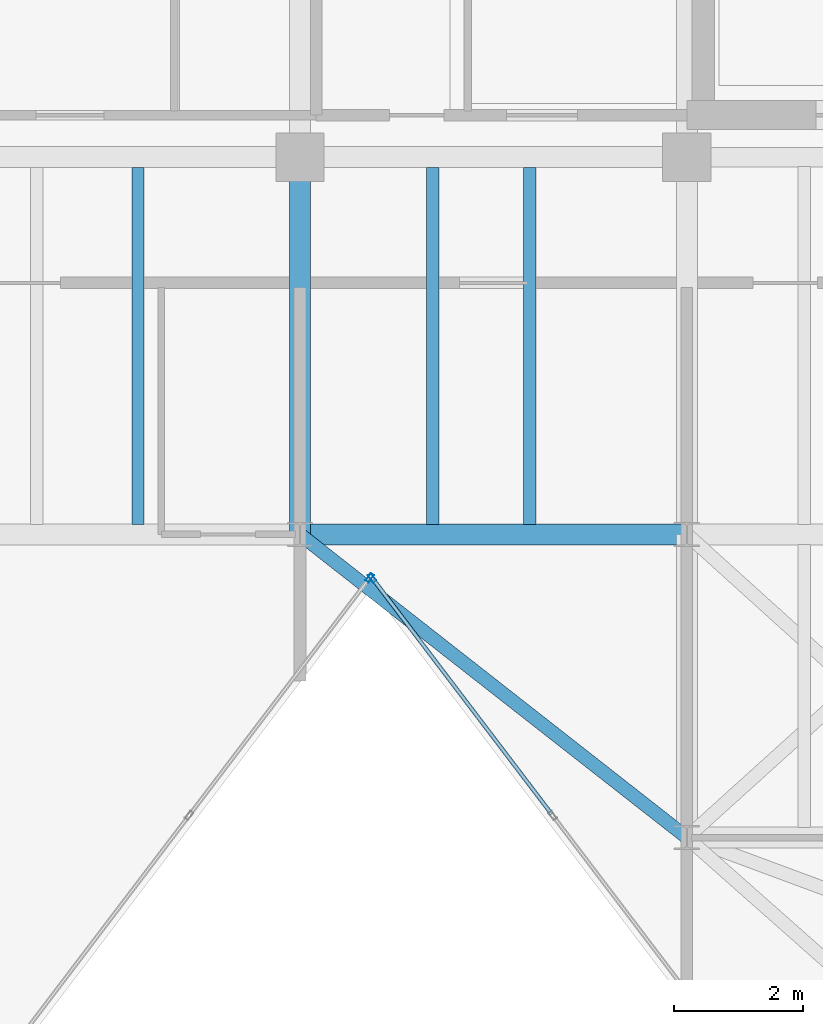
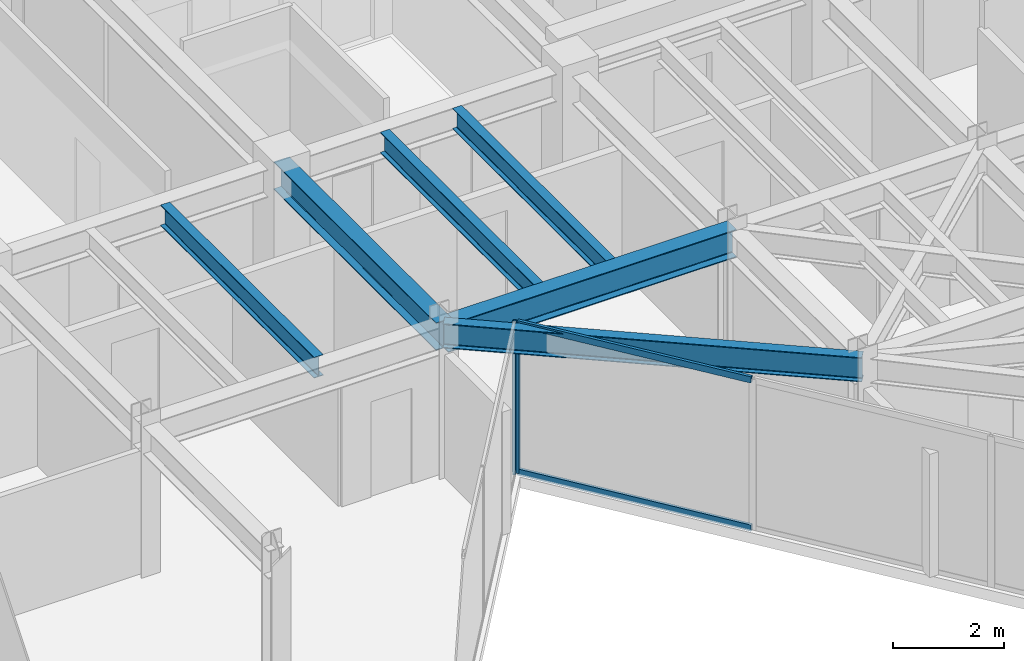
# One storey, part 6 of 16: 6 beams, 4 members, 2 elements without a shape of their own.
"""IFC4 building model written with IfcOpenShell, lengths in metres."""

from ifc_helpers import new_model, si_unit, direction, frame, origin, origin_2d, place, context, subcontext, project, spatial, hollow_rectangle, i_section, extrude, material, layer, layer_set, material_profile, profile_set, type_object, element, aggregate, save


model = new_model("IFC4")

# Units and contexts
model_context = context("Model", 3, precision=1e-05, world=origin(), true_north=direction((0.0, 1.0)))
body_context = subcontext(model_context, "Body", "Model", "MODEL_VIEW")
ifc_project = project(units=[si_unit("LENGTHUNIT", "METRE"), si_unit("AREAUNIT", "SQUARE_METRE"), si_unit("VOLUMEUNIT", "CUBIC_METRE"), si_unit("PLANEANGLEUNIT", "RADIAN"), si_unit("MASSUNIT", "GRAM", prefix="KILO")], contexts=[model_context])

# Site, building, storey
site_placement = place(None, origin())
site = spatial("IfcSite", under=ifc_project, at=site_placement, CompositionType="ELEMENT")
building_placement = place(site_placement, origin())
building = spatial("IfcBuilding", under=site, at=building_placement, Name="Kravanh Interchange Tower", CompositionType="ELEMENT")
storey_placement = place(building_placement, frame((0.0, 0.0, 307.5)))
storey = spatial("IfcBuildingStorey", under=building, at=storey_placement, Name="L76", CompositionType="ELEMENT", Elevation=307.5)

# Curtain wall, member
ifc_material_1 = material(Name="Anodised Bronze Aluminium", Category="aluminium")
ifc_layer = layer(ifc_material_1, 0.179931640625)
ifc_layer_set = layer_set([ifc_layer], Name="Unitised Curtain Wall System CW-HTL Luxury Hotel")
curtain_wall_type = type_object("IfcCurtainWallType", Name="Unitised Curtain Wall System CW-HTL Luxury Hotel", PredefinedType="NOTDEFINED", material=ifc_layer_set)
curtain_wall_1_placement = place(storey_placement, origin())
curtain_wall_1 = element("IfcCurtainWall", 1, at=curtain_wall_1_placement, inside=storey, type_object=curtain_wall_type, Name="L76 Unitised Curtain Wall CW-L76-04", PredefinedType="NOTDEFINED")
ifc_material_2 = material(Name="Anodised Bronze Aluminium", Category="aluminium")
ifc_material_profile_1 = material_profile(ifc_material_2, hollow_rectangle(XDim=0.06005859375, YDim=0.139892578125, WallThickness=0.00390625, at=origin_2d()), Name="ALU60X140X4")
ifc_profile_set_1 = profile_set([ifc_material_profile_1], Name="Anodised Bronze Aluminium")
member_type_1 = type_object("IfcMemberType", Name="Curtain Wall Mullion ALU60X140X4 Bronze", PredefinedType="MULLION", material=ifc_profile_set_1)
member_1_placement = place(storey_placement, frame((45.918212890625, 30.826904296875, 0.0), z_axis=(0.0, 0.0, 1.0), x_axis=(-0.796161642797, -0.605083992962, 0.0)))
member_1 = element("IfcMember", 2, at=member_1_placement, type_object=member_type_1, Name="CW-HTL mullion 4", PredefinedType="MULLION", context=body_context, shape_type="SweptSolid", body=[
    extrude(hollow_rectangle(XDim=0.06005859375, YDim=0.139892578125, WallThickness=0.00390625, at=origin_2d()), origin(), (0.0, 0.0, 1.0), 3.320068359375),
])

curtain_wall_2_placement = place(storey_placement, origin())
curtain_wall_2 = element("IfcCurtainWall", 3, at=curtain_wall_2_placement, inside=storey, type_object=curtain_wall_type, Name="L76 Unitised Curtain Wall CW-L76-05", PredefinedType="NOTDEFINED")
member_2_placement = place(storey_placement, frame((45.8818359375, 30.826904296875, 0.0), z_axis=(0.0, 0.0, 1.0), x_axis=(0.796161642797, -0.605083992962, 0.0)))
member_2 = element("IfcMember", 4, at=member_2_placement, type_object=member_type_1, Name="CW-HTL mullion 1", PredefinedType="MULLION", context=body_context, shape_type="SweptSolid", body=[
    extrude(hollow_rectangle(XDim=0.06005859375, YDim=0.139892578125, WallThickness=0.00390625, at=origin_2d()), origin(), (0.0, 0.0, 1.0), 3.320068359375),
])
aggregate(curtain_wall_2, [member_2])

# Member
ifc_material_3 = material(Name="Anodised Bronze Aluminium", Category="aluminium")
ifc_material_profile_2 = material_profile(ifc_material_3, hollow_rectangle(XDim=0.06005859375, YDim=0.139892578125, WallThickness=0.00390625, at=origin_2d()), Name="ALU60X140X4")
ifc_profile_set_2 = profile_set([ifc_material_profile_2], Name="Anodised Bronze Aluminium")
member_type_2 = type_object("IfcMemberType", Name="Curtain Wall Transom ALU60X140X4 Bronze", PredefinedType="USERDEFINED", material=ifc_profile_set_2)
member_3_placement = place(storey_placement, frame((48.70166015625, 27.16455078125, 0.030029296875), z_axis=(-0.605081913085, 0.796163223502, 0.0), x_axis=(-0.796163223502, -0.605081913085, 0.0)))
member_3 = element("IfcMember", 5, at=member_3_placement, type_object=member_type_2, Name="CW-HTL transom 3.1", ObjectType="TRANSOM", PredefinedType="USERDEFINED", context=body_context, shape_type="SweptSolid", body=[
    extrude(hollow_rectangle(XDim=0.06005859375, YDim=0.139892578125, WallThickness=0.00390625, at=origin_2d()), origin(), (0.0, 0.0, 1.0), 4.5703125),
])

member_4_placement = place(storey_placement, frame((48.70166015625, 27.16455078125, 3.2900390625), z_axis=(-0.605081913085, 0.796163223502, 0.0), x_axis=(-0.796163223502, -0.605081913085, 0.0)))
member_4 = element("IfcMember", 6, at=member_4_placement, type_object=member_type_2, Name="CW-HTL transom 3.2", ObjectType="TRANSOM", PredefinedType="USERDEFINED", context=body_context, shape_type="SweptSolid", body=[
    extrude(hollow_rectangle(XDim=0.06005859375, YDim=0.139892578125, WallThickness=0.00390625, at=origin_2d()), origin(), (0.0, 0.0, 1.0), 4.5703125),
])

aggregate(curtain_wall_1, [member_1, member_3, member_4])

# Beams
ifc_material_4 = material(Name="Structural Steel S355", Category="steel")
ifc_material_profile_3 = material_profile(ifc_material_4, i_section(OverallWidth=0.323974609375, OverallDepth=0.611083984375, WebThickness=0.0126953125, FlangeThickness=0.01904296875, FilletRadius=0.02197265625, at=origin_2d()), Name="W24X104")
ifc_profile_set_3 = profile_set([ifc_material_profile_3], Name="Structural Steel S355")
beam_type_1 = type_object("IfcBeamType", Name="Floor Beam W24X104 Structural Steel S355", PredefinedType="BEAM", material=ifc_profile_set_3)
beam_1_placement = place(storey_placement, frame((44.800048828125, 31.5, 3.014404296875), z_axis=(0.0, 1.0, 0.0), x_axis=(-1.0, 0.0, 0.0)))
element("IfcBeam", 7, at=beam_1_placement, inside=storey, type_object=beam_type_1, Name="L76 Primary Floor Girder 1", PredefinedType="BEAM", context=body_context, shape_type="SweptSolid", body=[
    extrude(i_section(OverallWidth=0.323974609375, OverallDepth=0.611083984375, WebThickness=0.0126953125, FlangeThickness=0.01904296875, FilletRadius=0.02197265625, at=origin_2d()), origin(), (0.0, 0.0, 1.0), 5.85009765625),
])
beam_2_placement = place(storey_placement, frame((44.800048828125, 31.5, 3.014404296875), z_axis=(1.0, 0.0, 0.0), x_axis=(0.0, 1.0, 0.0)))
element("IfcBeam", 8, at=beam_2_placement, inside=storey, type_object=beam_type_1, Name="L76 Primary Floor Girder 2", PredefinedType="BEAM", context=body_context, shape_type="SweptSolid", body=[
    extrude(i_section(OverallWidth=0.323974609375, OverallDepth=0.611083984375, WebThickness=0.0126953125, FlangeThickness=0.01904296875, FilletRadius=0.02197265625, at=origin_2d()), origin(), (0.0, 0.0, 1.0), 6.0),
])
ifc_material_5 = material(Name="Structural Steel S355", Category="steel")
ifc_material_profile_4 = material_profile(ifc_material_5, i_section(OverallWidth=0.18994140625, OverallDepth=0.45703125, WebThickness=0.009033203125, FlangeThickness=0.014404296875, FilletRadius=0.01806640625, at=origin_2d()), Name="W18X50")
ifc_profile_set_4 = profile_set([ifc_material_profile_4], Name="Structural Steel S355")
beam_type_2 = type_object("IfcBeamType", Name="Floor Joist W18X50 Structural Steel S355", PredefinedType="JOIST", material=ifc_profile_set_4)
for number, where, z_axis, x_axis, name in (
    (9, (42.2880859375, 31.656982421875, 3.091552734375), (0.0, 1.0, 0.0), (-1.0, 0.0, 0.0), "L76 Secondary Floor Joist 8"),
    (10, (46.860107421875, 31.656982421875, 3.091552734375), (0.0, 1.0, 0.0), (-1.0, 0.0, 0.0), "L76 Secondary Floor Joist 9"),
    (11, (48.364013671875, 31.656982421875, 3.091552734375), (0.0, 1.0, 0.0), (-1.0, 0.0, 0.0), "L76 Secondary Floor Joist 10"),
):
    element("IfcBeam", number, at=place(storey_placement, frame(where, z_axis=z_axis, x_axis=x_axis)), inside=storey, type_object=beam_type_2, Name=name, PredefinedType="JOIST", context=body_context, shape_type="SweptSolid", body=[
        extrude(i_section(OverallWidth=0.18994140625, OverallDepth=0.45703125, WebThickness=0.009033203125, FlangeThickness=0.014404296875, FilletRadius=0.01806640625, at=origin_2d()), origin(), (0.0, 0.0, 1.0), 5.5361328125),
    ])
ifc_material_6 = material(Name="Structural Steel S355", Category="steel")
ifc_material_profile_5 = material_profile(ifc_material_6, i_section(OverallWidth=0.2099609375, OverallDepth=0.537109375, WebThickness=0.010986328125, FlangeThickness=0.017333984375, FilletRadius=0.02001953125, at=origin_2d()), Name="W21X68")
ifc_profile_set_5 = profile_set([ifc_material_profile_5], Name="Structural Steel S355")
beam_type_3 = type_object("IfcBeamType", Name="Floor Spandrel W21X68 Structural Steel S355", PredefinedType="SPANDREL", material=ifc_profile_set_5)
beam_3_placement = place(storey_placement, frame((44.800048828125, 31.5, 3.051513671875), z_axis=(0.787231163579, -0.616658004967, 0.0), x_axis=(0.616658004967, 0.787231163579, 0.0)))
element("IfcBeam", 12, at=beam_3_placement, inside=storey, type_object=beam_type_3, Name="L76 Perimeter Spandrel 4", PredefinedType="SPANDREL", context=body_context, shape_type="SweptSolid", body=[
    extrude(i_section(OverallWidth=0.2099609375, OverallDepth=0.537109375, WebThickness=0.010986328125, FlangeThickness=0.017333984375, FilletRadius=0.02001953125, at=origin_2d()), origin(), (0.0, 0.0, 1.0), 7.62158203125),
])

save(model, "model.ifc")
